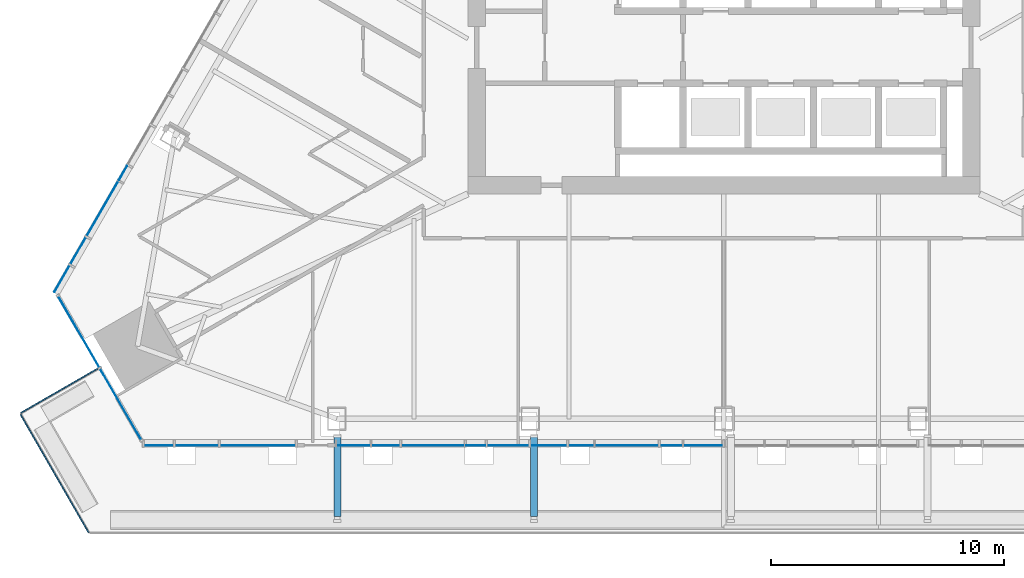
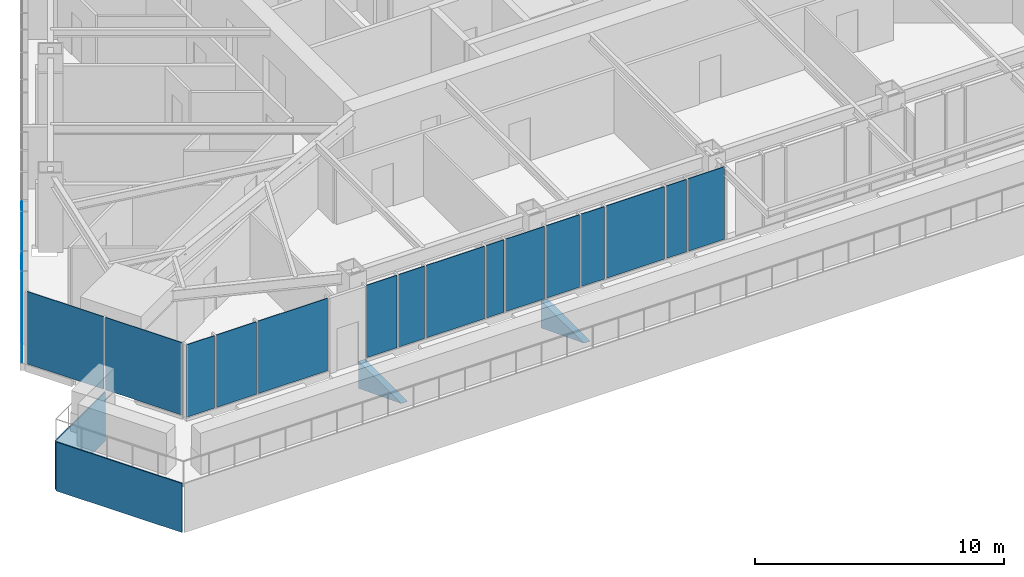
# One storey, part 8 of 21: 23 plates, 3 elements without a shape of their own.
"""IFC4 building model written with IfcOpenShell, lengths in metres."""

from ifc_helpers import new_model, si_unit, direction, frame, origin, place, context, subcontext, project, spatial, polyline, outline, extrude, material, layer, layer_set, type_object, element, aggregate, save


model = new_model("IFC4")

# Units and contexts
model_context = context("Model", 3, precision=1e-05, world=origin(), true_north=direction((0.0, 1.0)))
body_context = subcontext(model_context, "Body", "Model", "MODEL_VIEW")
ifc_project = project(units=[si_unit("LENGTHUNIT", "METRE"), si_unit("AREAUNIT", "SQUARE_METRE"), si_unit("VOLUMEUNIT", "CUBIC_METRE"), si_unit("PLANEANGLEUNIT", "RADIAN"), si_unit("MASSUNIT", "GRAM", prefix="KILO")], contexts=[model_context])

# Site, building, storey
site_placement = place(None, origin())
site = spatial("IfcSite", under=ifc_project, at=site_placement, CompositionType="ELEMENT")
building_placement = place(site_placement, origin())
building = spatial("IfcBuilding", under=site, at=building_placement, Name="Firuza Gate Tower and Library", CompositionType="ELEMENT")
storey_placement = place(building_placement, frame((0.0, 0.0, 222.10009765625)))
storey = spatial("IfcBuildingStorey", under=building, at=storey_placement, Name="L52", CompositionType="ELEMENT", Elevation=222.10009765625)

# Curtain wall, plates
ifc_material_1 = material(Name="Aluminium 6063-T6", Category="aluminium")
ifc_layer_1 = layer(ifc_material_1, 0.14990234375)
ifc_layer_set_1 = layer_set([ifc_layer_1], Name="Corner curtain wall, chamfers")
curtain_wall_type_1 = type_object("IfcCurtainWallType", Name="Corner curtain wall, chamfers", PredefinedType="NOTDEFINED", material=ifc_layer_set_1)
placement = place(storey_placement, origin())
curtain_wall_1 = element("IfcCurtainWall", 1, at=placement, inside=storey, type_object=curtain_wall_type_1, Name="CW4 L52 SW corner", PredefinedType="NOTDEFINED")
ifc_material_2 = material(Name="Fritted glass", Category="glass")
ifc_layer_2 = layer(ifc_material_2, 0.030029296875)
ifc_layer_set_2 = layer_set([ifc_layer_2], Name="Fritted glass unit, corners")
plate_type_1 = type_object("IfcPlateType", Name="Fritted glass unit, corners", PredefinedType="CURTAIN_PANEL", material=ifc_layer_set_2)
plate_1_placement = place(storey_placement, frame((46.36767578125, 62.6298828125, 0.14990234375), z_axis=(-0.866046390552, -0.49996364809, 0.0), x_axis=(0.49996364809, -0.866046390552, 0.0)))
plate_1 = element("IfcPlate", 2, at=plate_1_placement, type_object=plate_type_1, Name="Glass unit", PredefinedType="CURTAIN_PANEL", context=body_context, shape_type="SweptSolid", body=[
    extrude(outline(polyline([(0.0, 0.0), (3.563247342942594, 0.0), (3.563247342942594, 3.550048828125), (0.0, 3.550048828125), (0.0, 0.0)])), origin(), (0.0, 0.0, -1.0), 0.030029296875),
])
plate_2_placement = place(storey_placement, frame((48.189208984375, 59.474609375, 0.14990234375), z_axis=(-0.866016723041, -0.500015035186, 0.0), x_axis=(0.500015035186, -0.866016723041, 0.0)))
plate_2 = element("IfcPlate", 3, at=plate_2_placement, type_object=plate_type_1, Name="Glass unit", PredefinedType="CURTAIN_PANEL", context=body_context, shape_type="SweptSolid", body=[
    extrude(outline(polyline([(0.0, 0.0), (3.5633694106530625, 0.0), (3.5633694106530625, 3.550048828125), (0.0, 3.550048828125), (0.0, 0.0)])), origin(), (0.0, 0.0, -1.0), 0.030029296875),
])
aggregate(curtain_wall_1, [plate_1, plate_2])

ifc_material_3 = material(Name="Aluminium 6063-T6", Category="aluminium")
ifc_layer_3 = layer(ifc_material_3, 0.14990234375)
ifc_layer_set_3 = layer_set([ifc_layer_3], Name="Unitised curtain wall, hotel")
curtain_wall_type_2 = type_object("IfcCurtainWallType", Name="Unitised curtain wall, hotel", PredefinedType="NOTDEFINED", material=ifc_layer_set_3)
curtain_wall_2 = element("IfcCurtainWall", 4, at=placement, inside=storey, type_object=curtain_wall_type_2, Name="CW2 L52 S face", PredefinedType="NOTDEFINED")
ifc_material_4 = material(Name="Fritted glass", Category="glass")
ifc_layer_4 = layer(ifc_material_4, 0.030029296875)
ifc_layer_set_4 = layer_set([ifc_layer_4], Name="Fritted glass unit, hotel")
plate_type_2 = type_object("IfcPlateType", Name="Fritted glass unit, hotel", PredefinedType="CURTAIN_PANEL", material=ifc_layer_set_4)
plate_3_placement = place(storey_placement, frame((50.0439453125, 56.176513671875, 0.14990234375), z_axis=(0.0, -1.0, 0.0), x_axis=(1.0, 0.0, 0.0)))
plate_3 = element("IfcPlate", 5, at=plate_3_placement, type_object=plate_type_2, Name="Glass unit", PredefinedType="CURTAIN_PANEL", context=body_context, shape_type="SweptSolid", body=[
    extrude(outline(polyline([(0.0, 0.0), (1.30126953125, 0.0), (1.30126953125, 3.550048828125), (0.0, 3.550048828125), (0.0, 0.0)])), origin(), (0.0, 0.0, -1.0), 0.030029296875),
])
plate_4_placement = place(storey_placement, frame((58.3759765625, 56.176513671875, 0.14990234375), z_axis=(0.0, -1.0, 0.0), x_axis=(1.0, 0.0, 0.0)))
plate_4 = element("IfcPlate", 6, at=plate_4_placement, type_object=plate_type_2, Name="Glass unit", PredefinedType="CURTAIN_PANEL", context=body_context, shape_type="SweptSolid", body=[
    extrude(outline(polyline([(0.0, 0.0), (1.4248046875, 0.0), (1.4248046875, 3.550048828125), (0.0, 3.550048828125), (0.0, 0.0)])), origin(), (0.0, 0.0, -1.0), 0.030029296875),
])
plate_5_placement = place(storey_placement, frame((64.832275390625, 56.176513671875, 0.14990234375), z_axis=(0.0, -1.0, 0.0), x_axis=(1.0, 0.0, 0.0)))
plate_5 = element("IfcPlate", 7, at=plate_5_placement, type_object=plate_type_2, Name="Glass unit", PredefinedType="CURTAIN_PANEL", context=body_context, shape_type="SweptSolid", body=[
    extrude(outline(polyline([(0.0, 0.0), (1.795654296875, 0.0), (1.795654296875, 3.550048828125), (0.0, 3.550048828125), (0.0, 0.0)])), origin(), (0.0, 0.0, -1.0), 0.030029296875),
])
plate_6_placement = place(storey_placement, frame((66.7080078125, 56.176513671875, 0.14990234375), z_axis=(0.0, -1.0, 0.0), x_axis=(1.0, 0.0, 0.0)))
plate_6 = element("IfcPlate", 8, at=plate_6_placement, type_object=plate_type_2, Name="Glass unit", PredefinedType="CURTAIN_PANEL", context=body_context, shape_type="SweptSolid", body=[
    extrude(outline(polyline([(0.0, 0.0), (1.54833984375, 0.0), (1.54833984375, 3.550048828125), (0.0, 3.550048828125), (0.0, 0.0)])), origin(), (0.0, 0.0, -1.0), 0.030029296875),
])
plate_7_placement = place(storey_placement, frame((73.287841796875, 56.176513671875, 0.14990234375), z_axis=(0.0, -1.0, 0.0), x_axis=(1.0, 0.0, 0.0)))
plate_7 = element("IfcPlate", 9, at=plate_7_placement, type_object=plate_type_2, Name="Glass unit", PredefinedType="CURTAIN_PANEL", context=body_context, shape_type="SweptSolid", body=[
    extrude(outline(polyline([(0.0, 0.0), (1.672119140625, 0.0), (1.672119140625, 3.550048828125), (0.0, 3.550048828125), (0.0, 0.0)])), origin(), (0.0, 0.0, -1.0), 0.030029296875),
])

# Curtain wall, plate
curtain_wall_3 = element("IfcCurtainWall", 10, at=placement, inside=storey, type_object=curtain_wall_type_2, Name="CW2 L52 W face", PredefinedType="NOTDEFINED")
plate_8_placement = place(storey_placement, frame((46.87109375, 63.926025390625, 0.14990234375), z_axis=(-0.866029371706, 0.499993127296, 0.0), x_axis=(-0.499993127296, -0.866029371706, 0.0)))
plate_8 = element("IfcPlate", 11, at=plate_8_placement, type_object=plate_type_2, Name="Glass unit", PredefinedType="CURTAIN_PANEL", context=body_context, shape_type="SweptSolid", body=[
    extrude(outline(polyline([(0.0, 0.0), (1.3012874179777365, 0.0), (1.3012874179777365, 3.550048828125), (0.0, 3.550048828125), (0.0, 0.0)])), origin(), (0.0, 0.0, -1.0), 0.030029296875),
])

# Plate
ifc_material_5 = material(Name="Glazed ceramic tile")
ifc_layer_5 = layer(ifc_material_5, 0.030029296875)
ifc_layer_set_5 = layer_set([ifc_layer_5], Name="Opaque ceramic panel, hotel")
plate_type_3 = type_object("IfcPlateType", Name="Opaque ceramic panel, hotel", PredefinedType="CURTAIN_PANEL", material=ifc_layer_set_5)
plate_9_placement = place(storey_placement, frame((51.425048828125, 56.176513671875, 0.14990234375), z_axis=(0.0, -1.0, 0.0), x_axis=(1.0, 0.0, 0.0)))
plate_9 = element("IfcPlate", 12, at=plate_9_placement, type_object=plate_type_3, Name="Opaque ceramic panel", PredefinedType="CURTAIN_PANEL", context=body_context, shape_type="SweptSolid", body=[
    extrude(outline(polyline([(0.0, 0.0), (1.848876953125, 0.0), (1.848876953125, 3.550048828125), (0.0, 3.550048828125), (0.0, 0.0)])), origin(), (0.0, 0.0, -1.0), 0.030029296875),
])

plate_10_placement = place(storey_placement, frame((53.35400390625, 56.176513671875, 0.14990234375), z_axis=(0.0, -1.0, 0.0), x_axis=(1.0, 0.0, 0.0)))
plate_10 = element("IfcPlate", 13, at=plate_10_placement, type_object=plate_type_3, Name="Opaque ceramic panel", PredefinedType="CURTAIN_PANEL", context=body_context, shape_type="SweptSolid", body=[
    extrude(outline(polyline([(0.0, 0.0), (3.22998046875, 0.0), (3.22998046875, 3.550048828125), (0.0, 3.550048828125), (0.0, 0.0)])), origin(), (0.0, 0.0, -1.0), 0.030029296875),
])

plate_11_placement = place(storey_placement, frame((59.880859375, 56.176513671875, 0.14990234375), z_axis=(0.0, -1.0, 0.0), x_axis=(1.0, 0.0, 0.0)))
plate_11 = element("IfcPlate", 14, at=plate_11_placement, type_object=plate_type_3, Name="Opaque ceramic panel", PredefinedType="CURTAIN_PANEL", context=body_context, shape_type="SweptSolid", body=[
    extrude(outline(polyline([(0.0, 0.0), (1.1923828125, 0.0), (1.1923828125, 3.550048828125), (0.0, 3.550048828125), (0.0, 0.0)])), origin(), (0.0, 0.0, -1.0), 0.030029296875),
])

plate_12_placement = place(storey_placement, frame((61.1533203125, 56.176513671875, 0.14990234375), z_axis=(0.0, -1.0, 0.0), x_axis=(1.0, 0.0, 0.0)))
plate_12 = element("IfcPlate", 15, at=plate_12_placement, type_object=plate_type_3, Name="Opaque ceramic panel", PredefinedType="CURTAIN_PANEL", context=body_context, shape_type="SweptSolid", body=[
    extrude(outline(polyline([(0.0, 0.0), (2.697265625, 0.0), (2.697265625, 3.550048828125), (0.0, 3.550048828125), (0.0, 0.0)])), origin(), (0.0, 0.0, -1.0), 0.030029296875),
])

plate_13_placement = place(storey_placement, frame((63.9306640625, 56.176513671875, 0.14990234375), z_axis=(0.0, -1.0, 0.0), x_axis=(1.0, 0.0, 0.0)))
plate_13 = element("IfcPlate", 16, at=plate_13_placement, type_object=plate_type_3, Name="Opaque ceramic panel", PredefinedType="CURTAIN_PANEL", context=body_context, shape_type="SweptSolid", body=[
    extrude(outline(polyline([(0.0, 0.0), (0.821533203125, 0.0), (0.821533203125, 3.550048828125), (0.0, 3.550048828125), (0.0, 0.0)])), origin(), (0.0, 0.0, -1.0), 0.030029296875),
])

plate_14_placement = place(storey_placement, frame((68.33642578125, 56.176513671875, 0.14990234375), z_axis=(0.0, -1.0, 0.0), x_axis=(1.0, 0.0, 0.0)))
plate_14 = element("IfcPlate", 17, at=plate_14_placement, type_object=plate_type_3, Name="Opaque ceramic panel", PredefinedType="CURTAIN_PANEL", context=body_context, shape_type="SweptSolid", body=[
    extrude(outline(polyline([(0.0, 0.0), (1.06884765625, 0.0), (1.06884765625, 3.550048828125), (0.0, 3.550048828125), (0.0, 0.0)])), origin(), (0.0, 0.0, -1.0), 0.030029296875),
])

plate_15_placement = place(storey_placement, frame((69.4853515625, 56.176513671875, 0.14990234375), z_axis=(0.0, -1.0, 0.0), x_axis=(1.0, 0.0, 0.0)))
plate_15 = element("IfcPlate", 18, at=plate_15_placement, type_object=plate_type_3, Name="Opaque ceramic panel", PredefinedType="CURTAIN_PANEL", context=body_context, shape_type="SweptSolid", body=[
    extrude(outline(polyline([(0.0, 0.0), (2.697265625, 0.0), (2.697265625, 3.550048828125), (0.0, 3.550048828125), (0.0, 0.0)])), origin(), (0.0, 0.0, -1.0), 0.030029296875),
])

plate_16_placement = place(storey_placement, frame((72.2626953125, 56.176513671875, 0.14990234375), z_axis=(0.0, -1.0, 0.0), x_axis=(1.0, 0.0, 0.0)))
plate_16 = element("IfcPlate", 19, at=plate_16_placement, type_object=plate_type_3, Name="Opaque ceramic panel", PredefinedType="CURTAIN_PANEL", context=body_context, shape_type="SweptSolid", body=[
    extrude(outline(polyline([(0.0, 0.0), (0.9453125, 0.0), (0.9453125, 3.550048828125), (0.0, 3.550048828125), (0.0, 0.0)])), origin(), (0.0, 0.0, -1.0), 0.030029296875),
])

aggregate(curtain_wall_2, [plate_3, plate_9, plate_10, plate_4, plate_11, plate_12, plate_13, plate_5, plate_6, plate_14, plate_15, plate_16, plate_7])

plate_17_placement = place(storey_placement, frame((49.3466796875, 68.214111328125, 0.14990234375), z_axis=(-0.86610404518, 0.499863764363, 0.0), x_axis=(-0.499863764363, -0.86610404518, 0.0)))
plate_17 = element("IfcPlate", 20, at=plate_17_placement, type_object=plate_type_3, Name="Opaque ceramic panel", PredefinedType="CURTAIN_PANEL", context=body_context, shape_type="SweptSolid", body=[
    extrude(outline(polyline([(0.0, 0.0), (0.6979440759619058, 0.0), (0.6979440759619058, 3.550048828125), (0.0, 3.550048828125), (0.0, 0.0)])), origin(), (0.0, 0.0, -1.0), 0.030029296875),
])

plate_18_placement = place(storey_placement, frame((48.957763671875, 67.540283203125, 0.14990234375), z_axis=(-0.866028828302, 0.499994068514, 0.0), x_axis=(-0.499994068514, -0.866028828302, 0.0)))
plate_18 = element("IfcPlate", 21, at=plate_18_placement, type_object=plate_type_3, Name="Opaque ceramic panel", PredefinedType="CURTAIN_PANEL", context=body_context, shape_type="SweptSolid", body=[
    extrude(outline(polyline([(0.0, 0.0), (2.6972976229659773, 0.0), (2.6972976229659773, 3.550048828125001), (0.0, 3.550048828125001), (0.0, 0.0)])), origin(), (0.0, 0.0, -1.0), 0.030029296875),
])

plate_19_placement = place(storey_placement, frame((47.569091796875, 65.135009765625, 0.14990234375), z_axis=(-0.865950774653, 0.500129239174, 0.0), x_axis=(-0.500129239174, -0.865950774653, 0.0)))
plate_19 = element("IfcPlate", 22, at=plate_19_placement, type_object=plate_type_3, Name="Opaque ceramic panel", PredefinedType="CURTAIN_PANEL", context=body_context, shape_type="SweptSolid", body=[
    extrude(outline(polyline([(0.0, 0.0), (1.3160660754141325, 0.0), (1.3160660754141325, 3.550048828125), (0.0, 3.550048828125), (0.0, 0.0)])), origin(), (0.0, 0.0, -1.0), 0.030029296875),
])

aggregate(curtain_wall_3, [plate_17, plate_18, plate_19, plate_8])

# Plates
ifc_material_6 = material(Name="Steel S355", Category="steel")
ifc_layer_6 = layer(ifc_material_6, 0.300048828125)
ifc_layer_set_6 = layer_set([ifc_layer_6], Name="Tray bracket web 300 Steel S355")
plate_type_4 = type_object("IfcPlateType", Name="Tray bracket web 300 Steel S355", PredefinedType="SHEET", material=ifc_layer_set_6)
for number, where, z_axis, x_axis, name in (
    (23, (58.5390625, 56.56201171875, -0.2001953125), (1.0, 0.0, 0.0), (0.0, -1.0, 0.0), "Tray bracket web L52 col:L51:S1"),
    (24, (66.993896484375, 56.56201171875, -0.2001953125), (1.0, 0.0, 0.0), (0.0, -1.0, 0.0), "Tray bracket web L52 col:L51:S2"),
):
    element("IfcPlate", number, at=place(storey_placement, frame(where, z_axis=z_axis, x_axis=x_axis)), inside=storey, type_object=plate_type_4, Name=name, PredefinedType="SHEET", context=body_context, shape_type="SweptSolid", body=[
        extrude(outline(polyline([(0.0, 0.0), (3.428955078125, 0.0), (0.0, 1.333984375), (0.0, 0.0)])), origin(), (0.0, 0.0, -1.0), 0.300048828125),
    ])
ifc_material_7 = material(Name="Aluminium 6063-T6", Category="aluminium")
ifc_layer_7 = layer(ifc_material_7, 0.050048828125)
ifc_layer_set_7 = layer_set([ifc_layer_7], Name="Tray fascia panel 50")
plate_type_5 = type_object("IfcPlateType", Name="Tray fascia panel 50", PredefinedType="SHEET", material=ifc_layer_set_7)
plate_20_placement = place(storey_placement, frame((44.7548828125, 57.5029296875, -2.400146484375), z_axis=(-0.86596590867, -0.500103034405, 0.0), x_axis=(0.500103034405, -0.86596590867, 0.0)))
element("IfcPlate", 25, at=plate_20_placement, inside=storey, type_object=plate_type_5, Name="Tray fascia L52 1", PredefinedType="SHEET", context=body_context, shape_type="SweptSolid", body=[
    extrude(outline(polyline([(0.0, 0.0), (5.84889238195243, 0.0), (5.84889238195243, 2.400146484375), (0.0, 2.400146484375), (0.0, 0.0)])), origin(), (0.0, 0.0, -1.0), 0.050048828125),
])
plate_21_placement = place(storey_placement, frame((48.196044921875, 59.5830078125, -2.400146484375), z_axis=(-0.49999779889, 0.866026674592, 0.0), x_axis=(-0.866026674592, -0.49999779889, 0.0)))
element("IfcPlate", 26, at=plate_21_placement, inside=storey, type_object=plate_type_5, Name="Tray fascia L52 10", PredefinedType="SHEET", context=body_context, shape_type="SweptSolid", body=[
    extrude(outline(polyline([(0.0, 0.0), (3.9399587508162695, 0.0), (3.9399587508162695, 2.400146484375), (0.0, 2.400146484375), (0.0, 0.0)])), origin(), (0.0, 0.0, -1.0), 0.050048828125),
])

save(model, "model.ifc")
